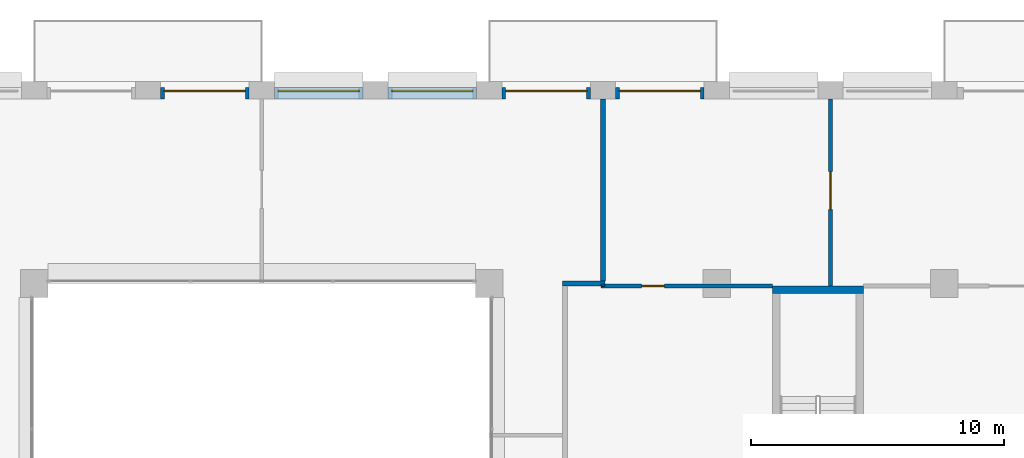
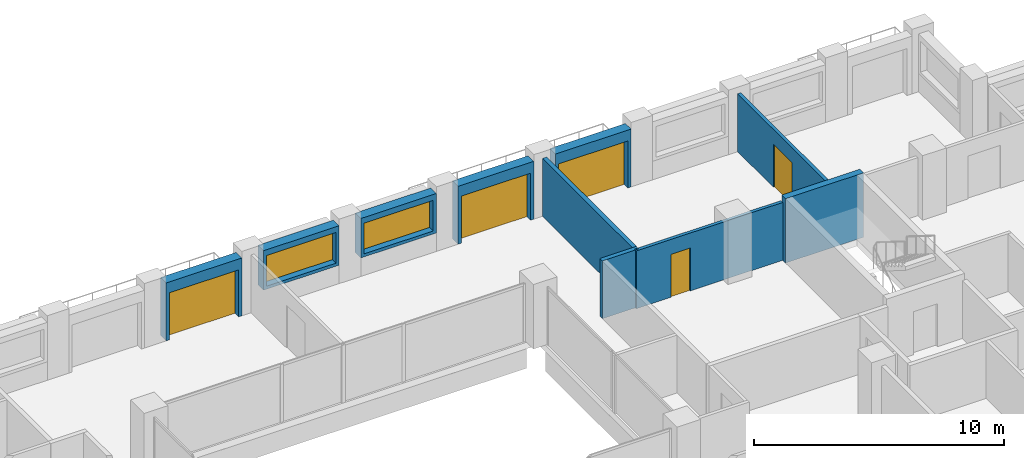
# One storey, part 13 of 16: 11 walls, 5 doors, 2 windows, 7 openings.
"""IFC4 building model written with IfcOpenShell, lengths in metres."""

from ifc_helpers import new_model, si_unit, direction, frame, frame_2d, origin, place, context, subcontext, project, spatial, rectangle, extrude, material, layer, layer_set, type_object, element, fill, save


model = new_model("IFC4")

# Units and contexts
model_context = context("Model", 3, precision=1e-05, world=origin(), true_north=direction((0.0, 1.0)))
body_context = subcontext(model_context, "Body", "Model", "MODEL_VIEW")
ifc_project = project(units=[si_unit("LENGTHUNIT", "METRE"), si_unit("AREAUNIT", "SQUARE_METRE"), si_unit("VOLUMEUNIT", "CUBIC_METRE"), si_unit("PLANEANGLEUNIT", "RADIAN"), si_unit("MASSUNIT", "GRAM", prefix="KILO")], contexts=[model_context])

# Site, building, storey
site_placement = place(None, origin())
site = spatial("IfcSite", under=ifc_project, at=site_placement, CompositionType="ELEMENT")
building_placement = place(site_placement, origin())
building = spatial("IfcBuilding", under=site, at=building_placement, Name="Brigalow Station Residences", CompositionType="ELEMENT")
storey_placement = place(building_placement, frame((0.0, 0.0, 163.35009765625)))
storey = spatial("IfcBuildingStorey", under=building, at=storey_placement, Name="L47", CompositionType="ELEMENT", Elevation=163.35009765625)

# Wall, opening, door
ifc_material_1 = material(Name="Clay brick masonry", Category="masonry")
ifc_layer_1 = layer(ifc_material_1, 0.449951171875)
ifc_layer_set_1 = layer_set([ifc_layer_1], Name="BRICK INFILL WALL 450")
wall_type_1 = type_object("IfcWallType", Name="BRICK INFILL WALL 450", PredefinedType="SOLIDWALL", material=ifc_layer_set_1)
wall_1_placement = place(storey_placement, frame((53.5, 43.02490234375, 0.0), z_axis=(0.0, 0.0, 1.0), x_axis=(-1.0, 0.0, 0.0)))
wall_1 = element("IfcWall", 1, at=wall_1_placement, inside=storey, type_object=wall_type_1, Name="L47/ewall/W-L47-25", PredefinedType="SOLIDWALL", context=body_context, shape_type="SweptSolid", body=[
    extrude(rectangle(XDim=3.5, YDim=0.449951171875, at=frame_2d((1.75, 0.0))), origin(), (0.0, 0.0, 1.0), 2.829833984375),
])
opening_1_placement = place(wall_1_placement, frame((0.14990234375, 0.0, 0.0)))
opening_1 = element("IfcOpeningElement", 2, at=opening_1_placement, cuts=wall_1, Name="Opening D-B3200", PredefinedType="OPENING", context=body_context, shape_type="SweptSolid", body=[
    extrude(rectangle(XDim=3.199951171875, YDim=2.300048828125, at=frame_2d((1.60009765625, 1.14990234375))), frame((0.0, 0.23486328125, 0.0), z_axis=(0.0, -1.0, 0.0), x_axis=(1.0, 0.0, 0.0)), (0.0, 0.0, 1.0), 0.469970703125),
])
ifc_material_2 = material(Name="Anodised aluminium frame with double glazing", Category="aluminium")
door_type_1 = type_object("IfcDoorType", Name="BALCONY SLIDING DOOR 3200x2300", OperationType="SLIDING_TO_LEFT", PredefinedType="DOOR", material=ifc_material_2)
door_1_placement = place(opening_1_placement, origin())
door_1 = element("IfcDoor", 3, at=door_1_placement, inside=storey, type_object=door_type_1, Name="L47/balcony-door/W-L47-25", OperationType="SLIDING_TO_LEFT", OverallHeight=2.300048828125, OverallWidth=3.199951171875, PredefinedType="DOOR", context=body_context, shape_type="SweptSolid", body=[
    extrude(rectangle(XDim=3.199951171875, YDim=2.300048828125, at=frame_2d((1.60009765625, 1.14990234375))), frame((0.0, -0.06982421875, 0.0), z_axis=(0.0, -1.0, 0.0), x_axis=(1.0, 0.0, 0.0)), (0.0, 0.0, 1.0), 0.050048828125),
])
fill(opening_1, door_1)

wall_2_placement = place(storey_placement, frame((49.0, 43.02490234375, 0.0), z_axis=(0.0, 0.0, 1.0), x_axis=(-1.0, 0.0, 0.0)))
wall_2 = element("IfcWall", 4, at=wall_2_placement, inside=storey, type_object=wall_type_1, Name="L47/ewall/W-L47-26", PredefinedType="SOLIDWALL", context=body_context, shape_type="SweptSolid", body=[
    extrude(rectangle(XDim=3.5, YDim=0.449951171875, at=frame_2d((1.75, 0.0))), origin(), (0.0, 0.0, 1.0), 2.829833984375),
])
opening_2_placement = place(wall_2_placement, frame((0.14990234375, 0.0, 0.0)))
opening_2 = element("IfcOpeningElement", 5, at=opening_2_placement, cuts=wall_2, Name="Opening D-B3200", PredefinedType="OPENING", context=body_context, shape_type="SweptSolid", body=[
    extrude(rectangle(XDim=3.199951171875, YDim=2.300048828125, at=frame_2d((1.60009765625, 1.14990234375))), frame((0.0, 0.23486328125, 0.0), z_axis=(0.0, -1.0, 0.0), x_axis=(1.0, 0.0, 0.0)), (0.0, 0.0, 1.0), 0.469970703125),
])
door_2_placement = place(opening_2_placement, origin())
door_2 = element("IfcDoor", 6, at=door_2_placement, inside=storey, type_object=door_type_1, Name="L47/balcony-door/W-L47-26", OperationType="SLIDING_TO_LEFT", OverallHeight=2.300048828125, OverallWidth=3.199951171875, PredefinedType="DOOR", context=body_context, shape_type="SweptSolid", body=[
    extrude(rectangle(XDim=3.199951171875, YDim=2.300048828125, at=frame_2d((1.60009765625, 1.14990234375))), frame((0.0, -0.06982421875, 0.0), z_axis=(0.0, -1.0, 0.0), x_axis=(1.0, 0.0, 0.0)), (0.0, 0.0, 1.0), 0.050048828125),
])
fill(opening_2, door_2)

# Wall, opening, window
wall_3_placement = place(storey_placement, frame((44.5, 43.02490234375, 0.89990234375), z_axis=(0.0, 0.0, 1.0), x_axis=(-1.0, 0.0, 0.0)))
wall_3 = element("IfcWall", 7, at=wall_3_placement, inside=storey, type_object=wall_type_1, Name="L47/ewall/W-L47-27", PredefinedType="SOLIDWALL", context=body_context, shape_type="SweptSolid", body=[
    extrude(rectangle(XDim=3.5, YDim=0.449951171875, at=frame_2d((1.75, 0.0))), origin(), (0.0, 0.0, 1.0), 1.929931640625),
])
opening_3_placement = place(wall_3_placement, frame((0.14990234375, 0.0, 0.14990234375)))
opening_3 = element("IfcOpeningElement", 8, at=opening_3_placement, cuts=wall_3, Name="Opening WT-9", PredefinedType="OPENING", context=body_context, shape_type="SweptSolid", body=[
    extrude(rectangle(XDim=3.199951171875, YDim=1.5, at=frame_2d((1.60009765625, 0.75))), frame((0.0, 0.23486328125, 0.0), z_axis=(0.0, -1.0, 0.0), x_axis=(1.0, 0.0, 0.0)), (0.0, 0.0, 1.0), 0.469970703125),
])
ifc_material_3 = material(Name="Anodised aluminium frame with double glazing", Category="aluminium")
window_type = type_object("IfcWindowType", Name="WINDOW 3200x1500", PartitioningType="SINGLE_PANEL", PredefinedType="WINDOW", material=ifc_material_3)
window_1_placement = place(opening_3_placement, origin())
window_1 = element("IfcWindow", 9, at=window_1_placement, inside=storey, type_object=window_type, Name="L47/window/W-L47-27", OverallHeight=1.5, OverallWidth=3.199951171875, PartitioningType="SINGLE_PANEL", PredefinedType="WINDOW", context=body_context, shape_type="SweptSolid", body=[
    extrude(rectangle(XDim=3.199951171875, YDim=1.5, at=frame_2d((1.60009765625, 0.75))), frame((0.0, -0.06494140625, 0.0), z_axis=(0.0, -1.0, 0.0), x_axis=(1.0, 0.0, 0.0)), (0.0, 0.0, 1.0), 0.06005859375),
])
fill(opening_3, window_1)

wall_4_placement = place(storey_placement, frame((40.0, 43.02490234375, 0.89990234375), z_axis=(0.0, 0.0, 1.0), x_axis=(-1.0, 0.0, 0.0)))
wall_4 = element("IfcWall", 10, at=wall_4_placement, inside=storey, type_object=wall_type_1, Name="L47/ewall/W-L47-28", PredefinedType="SOLIDWALL", context=body_context, shape_type="SweptSolid", body=[
    extrude(rectangle(XDim=3.5, YDim=0.449951171875, at=frame_2d((1.75, 0.0))), origin(), (0.0, 0.0, 1.0), 1.929931640625),
])
opening_4_placement = place(wall_4_placement, frame((0.14990234375, 0.0, 0.14990234375)))
opening_4 = element("IfcOpeningElement", 11, at=opening_4_placement, cuts=wall_4, Name="Opening WT-9", PredefinedType="OPENING", context=body_context, shape_type="SweptSolid", body=[
    extrude(rectangle(XDim=3.199951171875, YDim=1.5, at=frame_2d((1.60009765625, 0.75))), frame((0.0, 0.23486328125, 0.0), z_axis=(0.0, -1.0, 0.0), x_axis=(1.0, 0.0, 0.0)), (0.0, 0.0, 1.0), 0.469970703125),
])
window_2_placement = place(opening_4_placement, origin())
window_2 = element("IfcWindow", 12, at=window_2_placement, inside=storey, type_object=window_type, Name="L47/window/W-L47-28", OverallHeight=1.5, OverallWidth=3.199951171875, PartitioningType="SINGLE_PANEL", PredefinedType="WINDOW", context=body_context, shape_type="SweptSolid", body=[
    extrude(rectangle(XDim=3.199951171875, YDim=1.5, at=frame_2d((1.60009765625, 0.75))), frame((0.0, -0.06494140625, 0.0), z_axis=(0.0, -1.0, 0.0), x_axis=(1.0, 0.0, 0.0)), (0.0, 0.0, 1.0), 0.06005859375),
])
fill(opening_4, window_2)

# Wall, opening, door
wall_5_placement = place(storey_placement, frame((35.5, 43.02490234375, 0.0), z_axis=(0.0, 0.0, 1.0), x_axis=(-1.0, 0.0, 0.0)))
wall_5 = element("IfcWall", 13, at=wall_5_placement, inside=storey, type_object=wall_type_1, Name="L47/ewall/W-L47-29", PredefinedType="SOLIDWALL", context=body_context, shape_type="SweptSolid", body=[
    extrude(rectangle(XDim=3.5, YDim=0.449951171875, at=frame_2d((1.75, 0.0))), origin(), (0.0, 0.0, 1.0), 2.829833984375),
])
opening_5_placement = place(wall_5_placement, frame((0.14990234375, 0.0, 0.0)))
opening_5 = element("IfcOpeningElement", 14, at=opening_5_placement, cuts=wall_5, Name="Opening D-B3200", PredefinedType="OPENING", context=body_context, shape_type="SweptSolid", body=[
    extrude(rectangle(XDim=3.199951171875, YDim=2.300048828125, at=frame_2d((1.60009765625, 1.14990234375))), frame((0.0, 0.23486328125, 0.0), z_axis=(0.0, -1.0, 0.0), x_axis=(1.0, 0.0, 0.0)), (0.0, 0.0, 1.0), 0.469970703125),
])
door_3_placement = place(opening_5_placement, origin())
door_3 = element("IfcDoor", 15, at=door_3_placement, inside=storey, type_object=door_type_1, Name="L47/balcony-door/W-L47-29", OperationType="SLIDING_TO_LEFT", OverallHeight=2.300048828125, OverallWidth=3.199951171875, PredefinedType="DOOR", context=body_context, shape_type="SweptSolid", body=[
    extrude(rectangle(XDim=3.199951171875, YDim=2.300048828125, at=frame_2d((1.60009765625, 1.14990234375))), frame((0.0, -0.06982421875, 0.0), z_axis=(0.0, -1.0, 0.0), x_axis=(1.0, 0.0, 0.0)), (0.0, 0.0, 1.0), 0.050048828125),
])
fill(opening_5, door_3)

# Wall
ifc_material_4 = material(Name="Concrete C65", Category="concrete")
ifc_layer_2 = layer(ifc_material_4, 0.300048828125)
ifc_layer_set_2 = layer_set([ifc_layer_2], Name="CORE SHEAR WALL 300 C65")
wall_type_2 = type_object("IfcWallType", Name="CORE SHEAR WALL 300 C65", PredefinedType="SHEAR", material=ifc_layer_set_2)
wall_6_placement = place(storey_placement, frame((56.199951171875, 35.25, 0.0), z_axis=(0.0, 0.0, 1.0), x_axis=(1.0, 0.0, 0.0)))
element("IfcWall", 16, at=wall_6_placement, inside=storey, type_object=wall_type_2, Name="CORE WALL ST-S3-N L47", PredefinedType="SHEAR", context=body_context, shape_type="SweptSolid", body=[
    extrude(rectangle(XDim=3.60009765625, YDim=0.300048828125, at=frame_2d((1.800048828125, 0.0))), origin(), (0.0, 0.0, 1.0), 3.14990234375),
])

# Wall, opening, door
ifc_material_5 = material(Name="Plasterboard on steel stud partition", Category="steel")
ifc_layer_3 = layer(ifc_material_5, 0.14990234375)
ifc_layer_set_3 = layer_set([ifc_layer_3], Name="FLAT PARTITION 150")
wall_type_3 = type_object("IfcWallType", Name="FLAT PARTITION 150", PredefinedType="PARTITIONING", material=ifc_layer_set_3)
wall_7_placement = place(storey_placement, frame((49.425048828125, 35.39990234375, 0.0), z_axis=(0.0, 0.0, 1.0), x_axis=(1.0, 0.0, 0.0)))
wall_7 = element("IfcWall", 17, at=wall_7_placement, inside=storey, type_object=wall_type_3, Name="PW-3C18", PredefinedType="PARTITIONING", context=body_context, shape_type="SweptSolid", body=[
    extrude(rectangle(XDim=6.77490234375, YDim=0.14990234375, at=frame_2d((3.387451171875, 0.0))), origin(), (0.0, 0.0, 1.0), 2.829833984375),
])
opening_6_placement = place(wall_7_placement, frame((1.60009765625, 0.0, 0.0)))
opening_6 = element("IfcOpeningElement", 18, at=opening_6_placement, cuts=wall_7, Name="Opening D-3C28", PredefinedType="OPENING", context=body_context, shape_type="SweptSolid", body=[
    extrude(rectangle(XDim=0.89990234375, YDim=2.10009765625, at=frame_2d((0.449951171875, 1.050048828125))), frame((0.0, 0.0849609375, 0.0), z_axis=(0.0, -1.0, 0.0), x_axis=(1.0, 0.0, 0.0)), (0.0, 0.0, 1.0), 0.169921875),
])
ifc_material_6 = material(Name="Solid-core timber door leaf", Category="wood")
door_type_2 = type_object("IfcDoorType", Name="INTERNAL DOOR 900 x 2100", OperationType="SINGLE_SWING_LEFT", PredefinedType="DOOR", material=ifc_material_6)
door_4_placement = place(opening_6_placement, origin())
door_4 = element("IfcDoor", 19, at=door_4_placement, inside=storey, type_object=door_type_2, Name="D-3C28", OperationType="SINGLE_SWING_LEFT", OverallHeight=2.10009765625, OverallWidth=0.89990234375, PredefinedType="DOOR", context=body_context, shape_type="SweptSolid", body=[
    extrude(rectangle(XDim=0.89990234375, YDim=2.10009765625, at=frame_2d((0.449951171875, 1.050048828125))), frame((0.0, 0.02490234375, 0.0), z_axis=(0.0, -1.0, 0.0), x_axis=(1.0, 0.0, 0.0)), (0.0, 0.0, 1.0), 0.050048828125),
])
fill(opening_6, door_4)

wall_8_placement = place(storey_placement, frame((58.5, 35.39990234375, 0.0), z_axis=(0.0, 0.0, 1.0), x_axis=(0.0, 1.0, 0.0)))
wall_8 = element("IfcWall", 20, at=wall_8_placement, inside=storey, type_object=wall_type_3, Name="PW-3C42", PredefinedType="PARTITIONING", context=body_context, shape_type="SweptSolid", body=[
    extrude(rectangle(XDim=7.400146484375, YDim=0.14990234375, at=frame_2d((3.7001953125, 0.0))), origin(), (0.0, 0.0, 1.0), 2.829833984375),
])
opening_7_placement = place(wall_8_placement, frame((3.02490234375, 0.0, 0.0)))
opening_7 = element("IfcOpeningElement", 21, at=opening_7_placement, cuts=wall_8, Name="Opening D-3C27", PredefinedType="OPENING", context=body_context, shape_type="SweptSolid", body=[
    extrude(rectangle(XDim=1.5, YDim=2.10009765625, at=frame_2d((0.75, 1.050048828125))), frame((0.0, 0.0849609375, 0.0), z_axis=(0.0, -1.0, 0.0), x_axis=(1.0, 0.0, 0.0)), (0.0, 0.0, 1.0), 0.169921875),
])
ifc_material_7 = material(Name="Solid-core timber door leaf", Category="wood")
door_type_3 = type_object("IfcDoorType", Name="INTERNAL DOUBLE DOOR 1500 x 2100", OperationType="DOUBLE_DOOR_SINGLE_SWING", PredefinedType="DOOR", material=ifc_material_7)
door_5_placement = place(opening_7_placement, frame((1.5, 0.0, 0.0), z_axis=(0.0, 0.0, 1.0), x_axis=(-1.0, 0.0, 0.0)))
door_5 = element("IfcDoor", 22, at=door_5_placement, inside=storey, type_object=door_type_3, Name="D-3C27", OperationType="DOUBLE_DOOR_SINGLE_SWING", OverallHeight=2.10009765625, OverallWidth=1.5, PredefinedType="DOOR", context=body_context, shape_type="SweptSolid", body=[
    extrude(rectangle(XDim=1.5, YDim=2.10009765625, at=frame_2d((0.75, 1.050048828125))), frame((0.0, 0.02490234375, 0.0), z_axis=(0.0, -1.0, 0.0), x_axis=(1.0, 0.0, 0.0)), (0.0, 0.0, 1.0), 0.050048828125),
])
fill(opening_7, door_5)

# Walls
wall_9_placement = place(storey_placement, frame((49.5, 35.39990234375, 0.0), z_axis=(0.0, 0.0, 1.0), x_axis=(0.0, 1.0, 0.0)))
element("IfcWall", 23, at=wall_9_placement, inside=storey, type_object=wall_type_3, Name="PW-3C48", PredefinedType="PARTITIONING", context=body_context, shape_type="SweptSolid", body=[
    extrude(rectangle(XDim=0.0751953125, YDim=0.14990234375, at=frame_2d((0.03759765625, 0.0))), origin(), (0.0, 0.0, 1.0), 2.829833984375),
])
ifc_material_8 = material(Name="Plasterboard on steel stud partition", Category="steel")
ifc_layer_4 = layer(ifc_material_8, 0.199951171875)
ifc_layer_set_4 = layer_set([ifc_layer_4], Name="PARTY AND CORRIDOR WALL 200")
wall_type_4 = type_object("IfcWallType", Name="PARTY AND CORRIDOR WALL 200", PredefinedType="PARTITIONING", material=ifc_layer_set_4)
wall_10_placement = place(storey_placement, frame((47.89990234375, 35.5, 0.0), z_axis=(0.0, 0.0, 1.0), x_axis=(1.0, 0.0, 0.0)))
element("IfcWall", 24, at=wall_10_placement, inside=storey, type_object=wall_type_4, Name="PW-3C23", PredefinedType="PARTITIONING", context=body_context, shape_type="SweptSolid", body=[
    extrude(rectangle(XDim=1.675048828125, YDim=0.199951171875, at=frame_2d((0.83740234375, 0.0))), origin(), (0.0, 0.0, 1.0), 2.829833984375),
])
wall_11_placement = place(storey_placement, frame((49.5, 35.60009765625, 0.0), z_axis=(0.0, 0.0, 1.0), x_axis=(0.0, 1.0, 0.0)))
element("IfcWall", 25, at=wall_11_placement, inside=storey, type_object=wall_type_4, Name="PW-3C49", PredefinedType="PARTITIONING", context=body_context, shape_type="SweptSolid", body=[
    extrude(rectangle(XDim=7.199951171875, YDim=0.199951171875, at=frame_2d((3.60009765625, 0.0))), origin(), (0.0, 0.0, 1.0), 2.829833984375),
])

save(model, "model.ifc")
